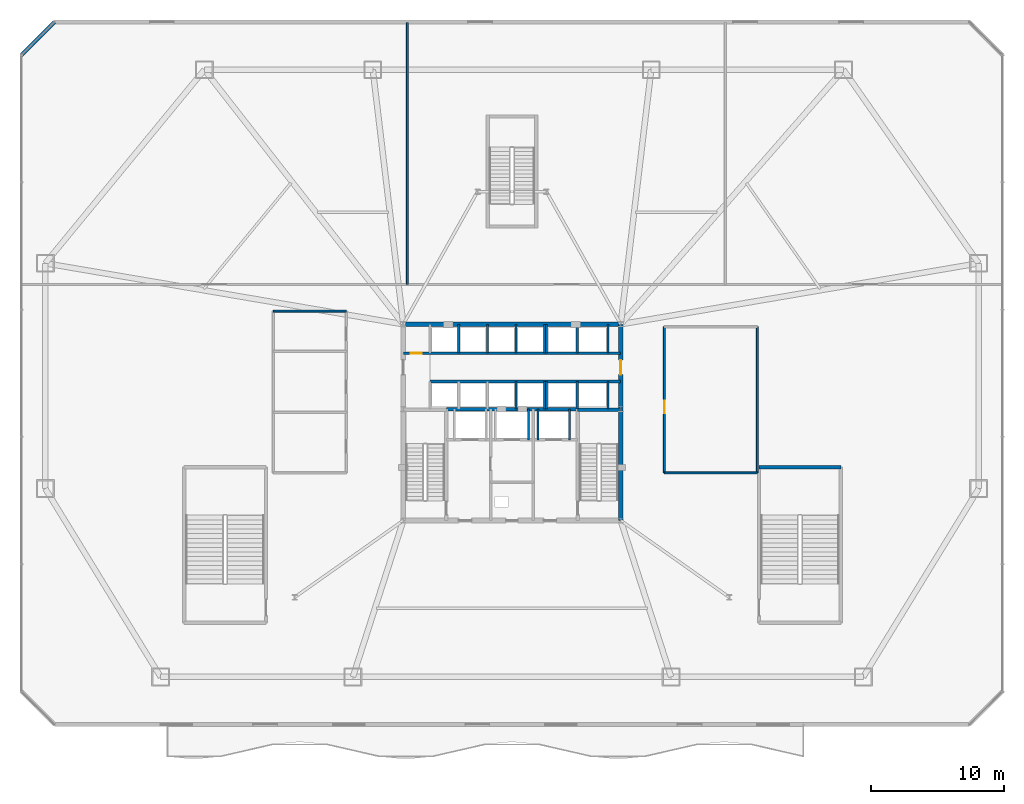
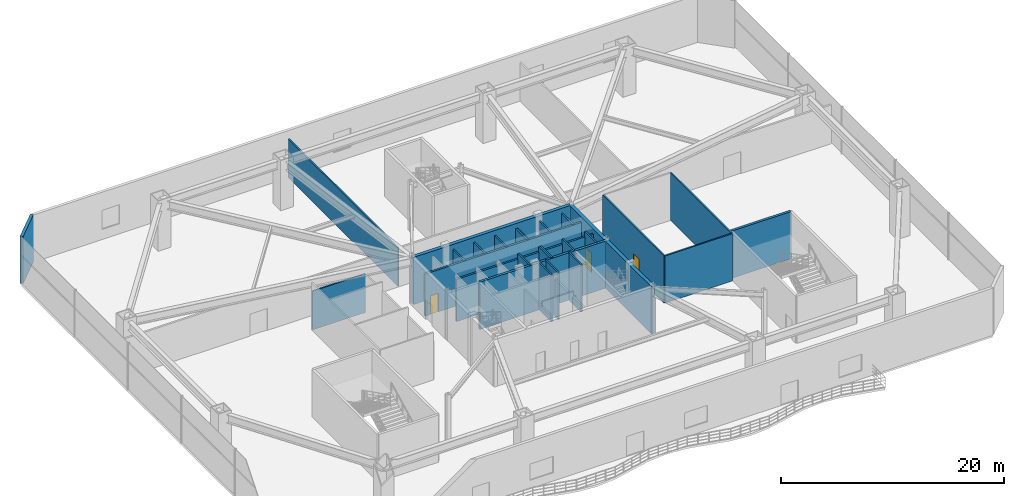
# One storey, part 14 of 20: 28 walls, 3 doors, 3 openings.
"""IFC4 building model written with IfcOpenShell, lengths in metres."""

from ifc_helpers import new_model, si_unit, direction, frame, frame_2d, origin, place, context, subcontext, project, spatial, rectangle, extrude, material, layer, layer_set, type_object, element, fill, save


model = new_model("IFC4")

# Units and contexts
model_context = context("Model", 3, precision=1e-05, world=origin(), true_north=direction((0.0, 1.0)))
body_context = subcontext(model_context, "Body", "Model", "MODEL_VIEW")
ifc_project = project(units=[si_unit("LENGTHUNIT", "METRE"), si_unit("AREAUNIT", "SQUARE_METRE"), si_unit("VOLUMEUNIT", "CUBIC_METRE"), si_unit("PLANEANGLEUNIT", "RADIAN"), si_unit("MASSUNIT", "GRAM", prefix="KILO")], contexts=[model_context])

# Site, building, storey
site_placement = place(None, origin())
site = spatial("IfcSite", under=ifc_project, at=site_placement, CompositionType="ELEMENT")
building_placement = place(site_placement, origin())
building = spatial("IfcBuilding", under=site, at=building_placement, Name="Varakhsha Concourse Tower", CompositionType="ELEMENT")
storey_placement = place(building_placement, frame((0.0, 0.0, 16.5)))
storey = spatial("IfcBuildingStorey", under=building, at=storey_placement, Name="L04", CompositionType="ELEMENT", Elevation=16.5)

# Wall
ifc_material_1 = material(Name="Concrete fc 65 MPa", Category="concrete")
ifc_layer_1 = layer(ifc_material_1, 0.35009765625, Name="WL-CORE-350")
ifc_layer_set_1 = layer_set([ifc_layer_1], Name="Concrete fc 65 MPa")
wall_type_1 = type_object("IfcWallType", Name="WL-CORE-350", PredefinedType="SHEAR", material=ifc_layer_set_1)
wall_1_placement = place(storey_placement, frame((31.800048828125, 31.199951171875, 0.0), z_axis=(0.0, 0.0, 1.0), x_axis=(1.0, 0.0, 0.0)))
element("IfcWall", 1, at=wall_1_placement, inside=storey, type_object=wall_type_1, Name="L04 Wall CWALL-N-L04", PredefinedType="SHEAR", context=body_context, shape_type="SweptSolid", body=[
    extrude(rectangle(XDim=16.39990234375, YDim=0.35009765625, at=frame_2d((8.199951171875, 0.0))), origin(), (0.0, 0.0, 1.0), 5.179931640625),
])

# Wall, opening, door
wall_2_placement = place(storey_placement, frame((48.199951171875, 16.39990234375, 0.0), z_axis=(0.0, 0.0, 1.0), x_axis=(0.0, 1.0, 0.0)))
wall_2 = element("IfcWall", 2, at=wall_2_placement, inside=storey, type_object=wall_type_1, Name="L04 Wall CWALL-E-L04", PredefinedType="SHEAR", context=body_context, shape_type="SweptSolid", body=[
    extrude(rectangle(XDim=14.800048828125, YDim=0.35009765625, at=frame_2d((7.39990234375, 0.0))), origin(), (0.0, 0.0, 1.0), 5.179931640625),
])
opening_1_placement = place(wall_2_placement, frame((11.0, 0.0, 0.0)))
opening_1 = element("IfcOpeningElement", 3, at=opening_1_placement, cuts=wall_2, Name="Opening DL-01", PredefinedType="OPENING", context=body_context, shape_type="SweptSolid", body=[
    extrude(rectangle(XDim=1.10009765625, YDim=2.14990234375, at=frame_2d((0.550048828125, 1.074951171875))), frame((0.0, 0.18505859375, 0.0), z_axis=(0.0, -1.0, 0.0), x_axis=(1.0, 0.0, 0.0)), (0.0, 0.0, 1.0), 0.3701171875),
])
ifc_material_2 = material(Name="Anodised Bronze Architectural Aluminium AA 6063-T6", Category="aluminium")
door_type_1 = type_object("IfcDoorType", Name="DR-LOB-1100", OperationType="NOTDEFINED", PredefinedType="DOOR", material=ifc_material_2)
door_1_placement = place(opening_1_placement, origin())
door_1 = element("IfcDoor", 4, at=door_1_placement, inside=storey, type_object=door_type_1, Name="L04 Lift Lobby East Concourse Door", OperationType="SINGLE_SWING_RIGHT", OverallHeight=2.14990234375, OverallWidth=1.10009765625, PredefinedType="DOOR", context=body_context, shape_type="SweptSolid", body=[
    extrude(rectangle(XDim=1.10009765625, YDim=2.14990234375, at=frame_2d((0.550048828125, 1.074951171875))), frame((0.0, 0.02490234375, 0.0), z_axis=(0.0, -1.0, 0.0), x_axis=(1.0, 0.0, 0.0)), (0.0, 0.0, 1.0), 0.050048828125),
])
fill(opening_1, door_1)

# Walls
ifc_material_3 = material(Name="Concrete fc 45 MPa", Category="concrete")
ifc_layer_2 = layer(ifc_material_3, 0.300048828125, Name="WL-EXT-POD-300")
ifc_layer_set_2 = layer_set([ifc_layer_2], Name="Concrete fc 45 MPa")
wall_type_2 = type_object("IfcWallType", Name="WL-EXT-POD-300", PredefinedType="STANDARD", material=ifc_layer_set_2)
wall_3_placement = place(storey_placement, frame((5.5, 54.0, 0.0), z_axis=(0.0, 0.0, 1.0), x_axis=(-0.707106781187, -0.707106781187, 0.0)))
element("IfcWall", 5, at=wall_3_placement, inside=storey, type_object=wall_type_2, Name="L04 Podium Chamfer Wall 5", PredefinedType="STANDARD", context=body_context, shape_type="SweptSolid", body=[
    extrude(rectangle(XDim=3.53564453125, YDim=0.300048828125, at=frame_2d((1.767822265625, 0.0))), origin(), (0.0, 0.0, 1.0), 5.179931640625),
])
ifc_material_4 = material(Name="Cold-Formed Steel ASTM A653 Grade 50 Acoustic Operable Partition", Category="steel")
ifc_layer_3 = layer(ifc_material_4, 0.14990234375, Name="WL-MOVABLE-150")
ifc_layer_set_3 = layer_set([ifc_layer_3], Name="Cold-Formed Steel ASTM A653 Grade 50 Acoustic Operable Partition")
wall_type_3 = type_object("IfcWallType", Name="WL-MOVABLE-150", PredefinedType="MOVABLE", material=ifc_layer_set_3)
wall_4_placement = place(storey_placement, frame((32.10009765625, 34.199951171875, 0.0), z_axis=(0.0, 0.0, 1.0), x_axis=(0.0, 1.0, 0.0)))
element("IfcWall", 6, at=wall_4_placement, inside=storey, type_object=wall_type_3, Name="L04 Wall L04W-MOV-1", PredefinedType="MOVABLE", context=body_context, shape_type="SweptSolid", body=[
    extrude(rectangle(XDim=19.760009765625, YDim=0.14990234375, at=frame_2d((9.8798828125, 0.0))), origin(), (0.0, 0.0, 1.0), 4.242919921875),
])
ifc_material_5 = material(Name="Fire-Rated Type X Gypsum Partition Assembly", Category="gypsum")
ifc_layer_4 = layer(ifc_material_5, 0.14990234375, Name="WL-PART-150")
ifc_layer_set_4 = layer_set([ifc_layer_4], Name="Fire-Rated Type X Gypsum Partition Assembly")
wall_type_4 = type_object("IfcWallType", Name="WL-PART-150", PredefinedType="PARTITIONING", material=ifc_layer_set_4)
wall_5_placement = place(storey_placement, frame((22.0, 32.199951171875, 0.0), z_axis=(0.0, 0.0, 1.0), x_axis=(1.0, 0.0, 0.0)))
element("IfcWall", 7, at=wall_5_placement, inside=storey, type_object=wall_type_4, Name="L04 Wall L04W-WCN", PredefinedType="PARTITIONING", context=body_context, shape_type="SweptSolid", body=[
    extrude(rectangle(XDim=5.5, YDim=0.14990234375, at=frame_2d((2.75, 0.0))), origin(), (0.0, 0.0, 1.0), 4.242919921875),
])

# Wall, opening, door
wall_6_placement = place(storey_placement, frame((51.5, 20.0, 0.0), z_axis=(0.0, 0.0, 1.0), x_axis=(0.0, 1.0, 0.0)))
wall_6 = element("IfcWall", 8, at=wall_6_placement, inside=storey, type_object=wall_type_4, Name="L04 Wall L04W-SUPE", PredefinedType="PARTITIONING", context=body_context, shape_type="SweptSolid", body=[
    extrude(rectangle(XDim=11.0, YDim=0.14990234375, at=frame_2d((5.5, 0.0))), origin(), (0.0, 0.0, 1.0), 5.179931640625),
])
opening_2_placement = place(wall_6_placement, frame((4.5, 0.0, 0.0)))
opening_2 = element("IfcOpeningElement", 9, at=opening_2_placement, cuts=wall_6, Name="Opening DF-05", PredefinedType="OPENING", context=body_context, shape_type="SweptSolid", body=[
    extrude(rectangle(XDim=0.949951171875, YDim=2.10009765625, at=frame_2d((0.47509765625, 1.050048828125))), frame((0.0, 0.0849609375, 0.0), z_axis=(0.0, -1.0, 0.0), x_axis=(1.0, 0.0, 0.0)), (0.0, 0.0, 1.0), 0.169921875),
])
ifc_material_6 = material(Name="Hollow Galvanised Steel Fire Door Assembly", Category="steel")
door_type_2 = type_object("IfcDoorType", Name="DR-FD60-950", OperationType="NOTDEFINED", PredefinedType="DOOR", material=ifc_material_6)
door_2_placement = place(opening_2_placement, origin())
door_2 = element("IfcDoor", 10, at=door_2_placement, inside=storey, type_object=door_type_2, Name="L04 Banquet Plating Pantry Door", OperationType="SINGLE_SWING_LEFT", OverallHeight=2.10009765625, OverallWidth=0.949951171875, PredefinedType="DOOR", context=body_context, shape_type="SweptSolid", body=[
    extrude(rectangle(XDim=0.949951171875, YDim=2.10009765625, at=frame_2d((0.47509765625, 1.050048828125))), frame((0.0, 0.02490234375, 0.0), z_axis=(0.0, -1.0, 0.0), x_axis=(1.0, 0.0, 0.0)), (0.0, 0.0, 1.0), 0.050048828125),
])
fill(opening_2, door_2)

# Walls
wall_7_placement = place(storey_placement, frame((58.5, 20.0, 0.0), z_axis=(0.0, 0.0, 1.0), x_axis=(0.0, 1.0, 0.0)))
element("IfcWall", 11, at=wall_7_placement, inside=storey, type_object=wall_type_4, Name="L04 Wall L04W-SUPR", PredefinedType="PARTITIONING", context=body_context, shape_type="SweptSolid", body=[
    extrude(rectangle(XDim=11.0, YDim=0.14990234375, at=frame_2d((5.5, 0.0))), origin(), (0.0, 0.0, 1.0), 5.179931640625),
])
wall_8_placement = place(storey_placement, frame((51.5, 20.0, 0.0), z_axis=(0.0, 0.0, 1.0), x_axis=(1.0, 0.0, 0.0)))
element("IfcWall", 12, at=wall_8_placement, inside=storey, type_object=wall_type_4, Name="L04 Wall L04W-SUPS", PredefinedType="PARTITIONING", context=body_context, shape_type="SweptSolid", body=[
    extrude(rectangle(XDim=7.0, YDim=0.14990234375, at=frame_2d((3.5, 0.0))), origin(), (0.0, 0.0, 1.0), 5.179931640625),
])
ifc_layer_5 = layer(ifc_material_5, 0.199951171875, Name="WL-SHAFT-220")
ifc_layer_set_5 = layer_set([ifc_layer_5], Name="Fire-Rated Type X Gypsum Partition Assembly")
wall_type_5 = type_object("IfcWallType", Name="WL-SHAFT-220", PredefinedType="SOLIDWALL", material=ifc_layer_set_5)
for number, where, z_axis, x_axis, name in (
    (13, (41.949951171875, 22.47998046875, 0.0), (0.0, 0.0, 1.0), (0.0, 1.0, 0.0), "L04 Wall SHW-FFL-2-W-L04"),
    (14, (44.35009765625, 22.47998046875, 0.0), (0.0, 0.0, 1.0), (0.0, 1.0, 0.0), "L04 Wall SHW-FFL-2-E-L04"),
    (15, (41.25, 22.47998046875, 0.0), (0.0, 0.0, 1.0), (0.0, 1.0, 0.0), "L04 Wall SHW-SVL-1-E-L04"),
):
    element("IfcWall", number, at=place(storey_placement, frame(where, z_axis=z_axis, x_axis=x_axis)), inside=storey, type_object=wall_type_5, Name=name, PredefinedType="SOLIDWALL", context=body_context, shape_type="SweptSolid", body=[
        extrude(rectangle(XDim=2.320068359375, YDim=0.159912109375, at=frame_2d((1.16015625, 0.0))), origin(), (0.0, 0.0, 1.0), 5.179931640625),
    ])

# Wall, opening, door
wall_9_placement = place(storey_placement, frame((31.800048828125, 29.02001953125, 0.0), z_axis=(0.0, 0.0, 1.0), x_axis=(1.0, 0.0, 0.0)))
wall_9 = element("IfcWall", 16, at=wall_9_placement, inside=storey, type_object=wall_type_5, Name="L04 Wall PLW-N-L04", PredefinedType="SOLIDWALL", context=body_context, shape_type="SweptSolid", body=[
    extrude(rectangle(XDim=16.39990234375, YDim=0.199951171875, at=frame_2d((8.199951171875, 0.0))), origin(), (0.0, 0.0, 1.0), 4.631103515625),
])
opening_3_placement = place(wall_9_placement, frame((0.550048828125, 0.0, 0.0)))
opening_3 = element("IfcOpeningElement", 17, at=opening_3_placement, cuts=wall_9, Name="Opening DF-07", PredefinedType="OPENING", context=body_context, shape_type="SweptSolid", body=[
    extrude(rectangle(XDim=0.85009765625, YDim=2.050048828125, at=frame_2d((0.425048828125, 1.02490234375))), frame((0.0, 0.10986328125, 0.0), z_axis=(0.0, -1.0, 0.0), x_axis=(1.0, 0.0, 0.0)), (0.0, 0.0, 1.0), 0.219970703125),
])
door_type_3 = type_object("IfcDoorType", Name="DR-FD60-850", OperationType="NOTDEFINED", PredefinedType="DOOR", material=ifc_material_6)
door_3_placement = place(opening_3_placement, origin())
door_3 = element("IfcDoor", 18, at=door_3_placement, inside=storey, type_object=door_type_3, Name="L04 Core Janitor Closet Door", OperationType="SINGLE_SWING_LEFT", OverallHeight=2.050048828125, OverallWidth=0.85009765625, PredefinedType="DOOR", context=body_context, shape_type="SweptSolid", body=[
    extrude(rectangle(XDim=0.85009765625, YDim=2.050048828125, at=frame_2d((0.425048828125, 1.02490234375))), frame((0.0, 0.02490234375, 0.0), z_axis=(0.0, -1.0, 0.0), x_axis=(1.0, 0.0, 0.0)), (0.0, 0.0, 1.0), 0.050048828125),
])
fill(opening_3, door_3)

# Walls
wall_10_placement = place(storey_placement, frame((33.820068359375, 26.8798828125, 0.0), z_axis=(0.0, 0.0, 1.0), x_axis=(1.0, 0.0, 0.0)))
element("IfcWall", 19, at=wall_10_placement, inside=storey, type_object=wall_type_5, Name="L04 Wall PLW-S-L04", PredefinedType="SOLIDWALL", context=body_context, shape_type="SweptSolid", body=[
    extrude(rectangle(XDim=14.3798828125, YDim=0.199951171875, at=frame_2d((7.18994140625, 0.0))), origin(), (0.0, 0.0, 1.0), 4.631103515625),
])
for number, where, z_axis, x_axis, name in (
    (20, (35.97998046875, 29.02001953125, 0.0), (0.0, 0.0, 1.0), (0.0, 1.0, 0.0), "L04 Wall SHW-LF-P01-E-L04"),
    (21, (38.139892578125, 29.02001953125, 0.0), (0.0, 0.0, 1.0), (0.0, 1.0, 0.0), "L04 Wall SHW-LF-P02-E-L04"),
    (22, (40.300048828125, 29.02001953125, 0.0), (0.0, 0.0, 1.0), (0.0, 1.0, 0.0), "L04 Wall SHW-LF-P03-E-L04"),
    (23, (42.4599609375, 29.02001953125, 0.0), (0.0, 0.0, 1.0), (0.0, 1.0, 0.0), "L04 Wall SHW-LF-P04-E-L04"),
):
    element("IfcWall", number, at=place(storey_placement, frame(where, z_axis=z_axis, x_axis=x_axis)), inside=storey, type_object=wall_type_5, Name=name, PredefinedType="SOLIDWALL", context=body_context, shape_type="SweptSolid", body=[
        extrude(rectangle(XDim=2.179931640625, YDim=0.159912109375, at=frame_2d((1.08984375, 0.0))), origin(), (0.0, 0.0, 1.0), 4.631103515625),
    ])
for number, where, z_axis, x_axis, name in (
    (24, (40.300048828125, 24.800048828125, 0.0), (0.0, 0.0, 1.0), (0.0, 1.0, 0.0), "L04 Wall SHW-LF-P07-E-L04"),
    (25, (42.4599609375, 24.800048828125, 0.0), (0.0, 0.0, 1.0), (0.0, 1.0, 0.0), "L04 Wall SHW-LF-P08-E-L04"),
):
    element("IfcWall", number, at=place(storey_placement, frame(where, z_axis=z_axis, x_axis=x_axis)), inside=storey, type_object=wall_type_5, Name=name, PredefinedType="SOLIDWALL", context=body_context, shape_type="SweptSolid", body=[
        extrude(rectangle(XDim=2.079833984375, YDim=0.159912109375, at=frame_2d((1.0400390625, 0.0))), origin(), (0.0, 0.0, 1.0), 5.179931640625),
    ])
for number, where, z_axis, x_axis, name in (
    (26, (42.60009765625, 29.02001953125, 0.0), (0.0, 0.0, 1.0), (0.0, 1.0, 0.0), "L04 Wall SHW-LF-P09-W-L04"),
    (27, (44.919921875, 29.02001953125, 0.0), (0.0, 0.0, 1.0), (0.0, 1.0, 0.0), "L04 Wall SHW-LF-P09-E-L04"),
    (28, (47.239990234375, 29.02001953125, 0.0), (0.0, 0.0, 1.0), (0.0, 1.0, 0.0), "L04 Wall SHW-LF-P10-E-L04"),
):
    element("IfcWall", number, at=place(storey_placement, frame(where, z_axis=z_axis, x_axis=x_axis)), inside=storey, type_object=wall_type_5, Name=name, PredefinedType="SOLIDWALL", context=body_context, shape_type="SweptSolid", body=[
        extrude(rectangle(XDim=2.179931640625, YDim=0.159912109375, at=frame_2d((1.08984375, 0.0))), origin(), (0.0, 0.0, 1.0), 4.631103515625),
    ])
for number, where, z_axis, x_axis, name in (
    (29, (42.60009765625, 24.800048828125, 0.0), (0.0, 0.0, 1.0), (0.0, 1.0, 0.0), "L04 Wall SHW-LF-P11-W-L04"),
    (30, (44.919921875, 24.800048828125, 0.0), (0.0, 0.0, 1.0), (0.0, 1.0, 0.0), "L04 Wall SHW-LF-P11-E-L04"),
    (31, (47.239990234375, 24.800048828125, 0.0), (0.0, 0.0, 1.0), (0.0, 1.0, 0.0), "L04 Wall SHW-LF-P12-E-L04"),
):
    element("IfcWall", number, at=place(storey_placement, frame(where, z_axis=z_axis, x_axis=x_axis)), inside=storey, type_object=wall_type_5, Name=name, PredefinedType="SOLIDWALL", context=body_context, shape_type="SweptSolid", body=[
        extrude(rectangle(XDim=2.079833984375, YDim=0.159912109375, at=frame_2d((1.0400390625, 0.0))), origin(), (0.0, 0.0, 1.0), 5.179931640625),
    ])
ifc_layer_6 = layer(ifc_material_3, 0.25, Name="WL-STAIR-250")
ifc_layer_set_6 = layer_set([ifc_layer_6], Name="Concrete fc 45 MPa")
wall_type_6 = type_object("IfcWallType", Name="WL-STAIR-250", PredefinedType="SHEAR", material=ifc_layer_set_6)
wall_11_placement = place(storey_placement, frame((44.955078125, 24.7548828125, 0.0), z_axis=(0.0, 0.0, 1.0), x_axis=(1.0, 0.0, 0.0)))
element("IfcWall", 32, at=wall_11_placement, inside=storey, type_object=wall_type_6, Name="L04 Wall SWALL-ST2-N-L04", PredefinedType="SHEAR", context=body_context, shape_type="SweptSolid", body=[
    extrude(rectangle(XDim=3.244873046875, YDim=0.25, at=frame_2d((1.62255859375, 0.0))), origin(), (0.0, 0.0, 1.0), 5.179931640625),
])
wall_12_placement = place(storey_placement, frame((35.044921875, 24.800048828125, 0.0), z_axis=(0.0, 0.0, 1.0), x_axis=(1.0, 0.0, 0.0)))
element("IfcWall", 33, at=wall_12_placement, inside=storey, type_object=wall_type_6, Name="L04 Wall SWALL-MID-H-L04", PredefinedType="SHEAR", context=body_context, shape_type="SweptSolid", body=[
    extrude(rectangle(XDim=9.91015625, YDim=0.25, at=frame_2d((4.955078125, 0.0))), origin(), (0.0, 0.0, 1.0), 5.179931640625),
])
wall_13_placement = place(storey_placement, frame((58.635009765625, 20.425048828125, 0.0), z_axis=(0.0, 0.0, 1.0), x_axis=(1.0, 0.0, 0.0)))
element("IfcWall", 34, at=wall_13_placement, inside=storey, type_object=wall_type_6, Name="L04 Wall ST4W-N-L04", PredefinedType="SHEAR", context=body_context, shape_type="SweptSolid", body=[
    extrude(rectangle(XDim=6.169921875, YDim=0.25, at=frame_2d((3.0849609375, 0.0))), origin(), (0.0, 0.0, 1.0), 5.179931640625),
])

save(model, "model.ifc")
